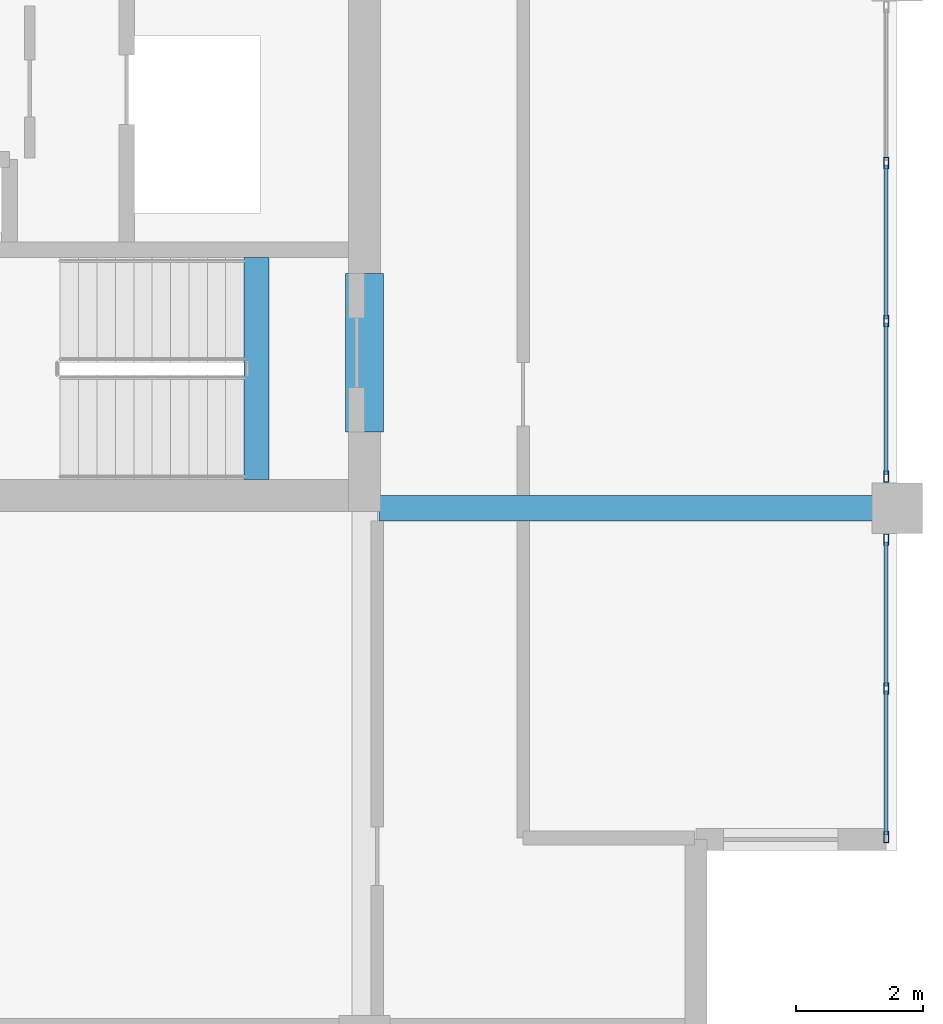
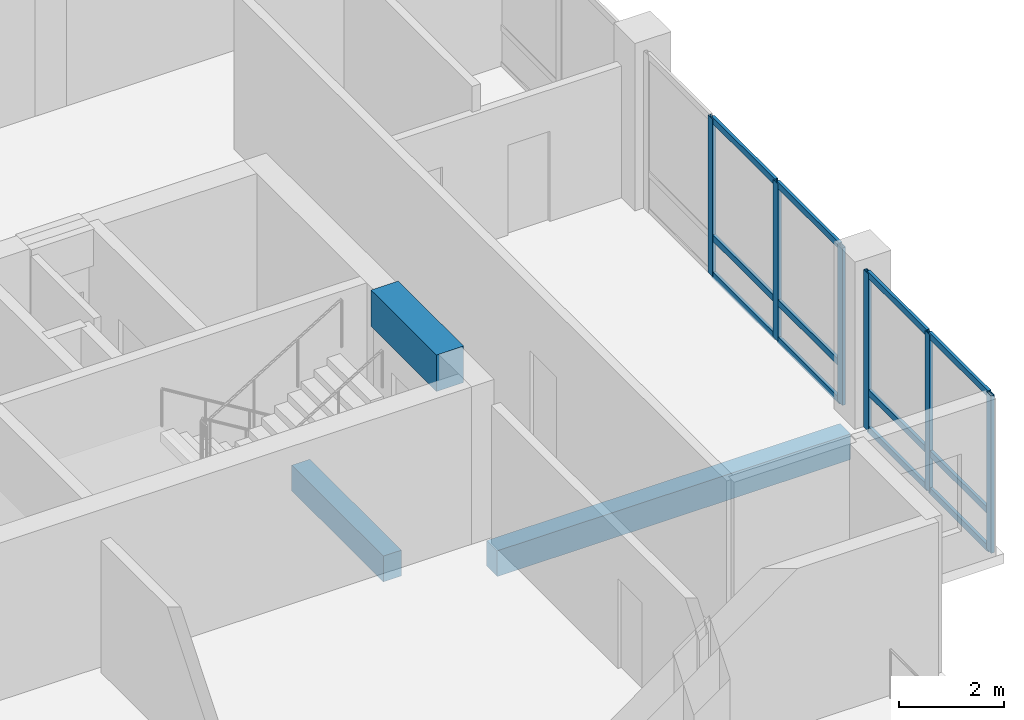
# One storey, part 2 of 14: 18 members, 3 beams, 2 elements without a shape of their own.
"""IFC4 building model written with IfcOpenShell, lengths in metres."""

from ifc_helpers import new_model, si_unit, direction, frame, origin, origin_2d, place, context, subcontext, project, spatial, rectangle, hollow_rectangle, extrude, material, layer, layer_set, material_profile, profile_set, type_object, element, aggregate, save


model = new_model("IFC4")

# Units and contexts
model_context = context("Model", 3, precision=1e-05, world=origin(), true_north=direction((0.0, 1.0)))
body_context = subcontext(model_context, "Body", "Model", "MODEL_VIEW")
ifc_project = project(units=[si_unit("LENGTHUNIT", "METRE"), si_unit("AREAUNIT", "SQUARE_METRE"), si_unit("VOLUMEUNIT", "CUBIC_METRE"), si_unit("PLANEANGLEUNIT", "RADIAN"), si_unit("MASSUNIT", "GRAM", prefix="KILO")], contexts=[model_context])

# Site, building, storey
site_placement = place(None, origin())
site = spatial("IfcSite", under=ifc_project, at=site_placement, CompositionType="ELEMENT")
building_placement = place(site_placement, origin())
building = spatial("IfcBuilding", under=site, at=building_placement, Name="Koriwani Terraces Tower", CompositionType="ELEMENT")
storey_placement = place(building_placement, frame((0.0, 0.0, 339.800048828125)))
storey = spatial("IfcBuildingStorey", under=building, at=storey_placement, Name="L84", CompositionType="ELEMENT", Elevation=339.800048828125)

# Beams
ifc_material_1 = material(Name="Concrete C50/60", Category="concrete")
ifc_material_profile_1 = material_profile(ifc_material_1, rectangle(XDim=0.60009765625, YDim=0.85009765625, at=origin_2d()), Name="Concrete C50/60", Category="LoadBearing")
ifc_profile_set_1 = profile_set([ifc_material_profile_1], Name="Concrete C50/60")
beam_type_1 = type_object("IfcBeamType", Name="BEAM_RC_COUPLING_600X850", PredefinedType="LINTEL", material=ifc_profile_set_1)
beam_1_placement = place(storey_placement, frame((58.800048828125, 18.0, 3.244873046875), z_axis=(0.0, 1.0, 0.0), x_axis=(-1.0, 0.0, 0.0)))
element("IfcBeam", 1, at=beam_1_placement, inside=storey, type_object=beam_type_1, Name="L84 Core Coupling Lintel Beam EE", PredefinedType="LINTEL", context=body_context, shape_type="SweptSolid", body=[
    extrude(rectangle(XDim=0.60009765625, YDim=0.85009765625, at=origin_2d()), origin(), (0.0, 0.0, 1.0), 2.5),
])
ifc_material_2 = material(Name="Concrete C40/50", Category="concrete")
ifc_material_profile_2 = material_profile(ifc_material_2, rectangle(XDim=0.39990234375, YDim=0.60009765625, at=origin_2d()), Name="Concrete C40/50", Category="LoadBearing")
ifc_profile_set_2 = profile_set([ifc_material_profile_2], Name="Concrete C40/50")
beam_type_2 = type_object("IfcBeamType", Name="BEAM_RC_GRID_400X600", PredefinedType="BEAM", material=ifc_profile_set_2)
beam_2_placement = place(storey_placement, frame((57.094970703125, 17.25, -0.300048828125), z_axis=(0.0, 1.0, 0.0), x_axis=(-1.0, 0.0, 0.0)))
element("IfcBeam", 2, at=beam_2_placement, inside=storey, type_object=beam_type_2, Name="L84 Stairwell Header Trimmer Beam ST-E2", PredefinedType="BEAM", context=body_context, shape_type="SweptSolid", body=[
    extrude(rectangle(XDim=0.39990234375, YDim=0.60009765625, at=origin_2d()), origin(), (0.0, 0.0, 1.0), 3.5),
])
beam_3_placement = place(storey_placement, frame((59.030029296875, 16.800048828125, -0.530029296875), z_axis=(1.0, 0.0, 0.0), x_axis=(0.0, 1.0, 0.0)))
element("IfcBeam", 3, at=beam_3_placement, inside=storey, type_object=beam_type_2, Name="L84 Grid Beam C (58.8-67.2m)", PredefinedType="BEAM", context=body_context, shape_type="SweptSolid", body=[
    extrude(rectangle(XDim=0.39990234375, YDim=0.60009765625, at=origin_2d()), origin(), (0.0, 0.0, 1.0), 7.7900390625),
])

# Curtain wall, members
ifc_material_3 = material(Name="Anodised Bronze Aluminium", Category="aluminium")
ifc_layer = layer(ifc_material_3, 0.18994140625, Name="Anodised Bronze Aluminium")
ifc_layer_set = layer_set([ifc_layer], Name="Anodised Bronze Aluminium")
curtain_wall_type = type_object("IfcCurtainWallType", Name="CW_PENTHOUSE_ZONE5", PredefinedType="NOTDEFINED", material=ifc_layer_set)
curtain_wall_1_placement = place(storey_placement, origin())
curtain_wall_1 = element("IfcCurtainWall", 4, at=curtain_wall_1_placement, inside=storey, type_object=curtain_wall_type, Name="L84 Unitised Curtain Wall (E_TIP) Bay 2", PredefinedType="NOTDEFINED")
ifc_material_profile_3 = material_profile(ifc_material_3, hollow_rectangle(XDim=0.074951171875, YDim=0.179931640625, WallThickness=0.006103515625, at=origin_2d()), Name="Anodised Bronze Aluminium", Category="LoadBearing")
ifc_profile_set_3 = profile_set([ifc_material_profile_3], Name="Anodised Bronze Aluminium")
member_type_1 = type_object("IfcMemberType", Name="CW_MULLION_180X75", PredefinedType="MULLION", material=ifc_profile_set_3)
member_1_placement = place(storey_placement, frame((67.02490234375, 22.24658203125, 0.0), z_axis=(0.0, 0.0, 1.0), x_axis=(1.0, 0.0, 0.0)))
member_1 = element("IfcMember", 5, at=member_1_placement, type_object=member_type_1, Name="CW-Z5 mullion 2", PredefinedType="MULLION", context=body_context, shape_type="SweptSolid", body=[
    extrude(hollow_rectangle(XDim=0.074951171875, YDim=0.179931640625, WallThickness=0.006103515625, at=origin_2d()), origin(), (0.0, 0.0, 1.0), 3.669921875),
])
member_2_placement = place(storey_placement, frame((67.02490234375, 19.75341796875, 0.0), z_axis=(0.0, 0.0, 1.0), x_axis=(1.0, 0.0, 0.0)))
member_2 = element("IfcMember", 6, at=member_2_placement, type_object=member_type_1, Name="CW-Z5 mullion 3", PredefinedType="MULLION", context=body_context, shape_type="SweptSolid", body=[
    extrude(hollow_rectangle(XDim=0.074951171875, YDim=0.179931640625, WallThickness=0.006103515625, at=origin_2d()), origin(), (0.0, 0.0, 1.0), 3.669921875),
])
member_3_placement = place(storey_placement, frame((67.02490234375, 17.297607421875, 0.0), z_axis=(0.0, 0.0, 1.0), x_axis=(1.0, 0.0, 0.0)))
member_3 = element("IfcMember", 7, at=member_3_placement, type_object=member_type_1, Name="CW-Z5 mullion 4", PredefinedType="MULLION", context=body_context, shape_type="SweptSolid", body=[
    extrude(hollow_rectangle(XDim=0.074951171875, YDim=0.179931640625, WallThickness=0.006103515625, at=origin_2d()), origin(), (0.0, 0.0, 1.0), 3.669921875),
])

curtain_wall_2_placement = place(storey_placement, origin())
curtain_wall_2 = element("IfcCurtainWall", 8, at=curtain_wall_2_placement, inside=storey, type_object=curtain_wall_type, Name="L84 Unitised Curtain Wall (E_TIP) Bay 3", PredefinedType="NOTDEFINED")
member_4_placement = place(storey_placement, frame((67.02490234375, 16.302490234375, 0.0), z_axis=(0.0, 0.0, 1.0), x_axis=(1.0, 0.0, 0.0)))
member_4 = element("IfcMember", 9, at=member_4_placement, type_object=member_type_1, Name="CW-Z5 mullion 1", PredefinedType="MULLION", context=body_context, shape_type="SweptSolid", body=[
    extrude(hollow_rectangle(XDim=0.074951171875, YDim=0.179931640625, WallThickness=0.006103515625, at=origin_2d()), origin(), (0.0, 0.0, 1.0), 3.669921875),
])
member_5_placement = place(storey_placement, frame((67.02490234375, 13.95751953125, 0.0), z_axis=(0.0, 0.0, 1.0), x_axis=(1.0, 0.0, 0.0)))
member_5 = element("IfcMember", 10, at=member_5_placement, type_object=member_type_1, Name="CW-Z5 mullion 2", PredefinedType="MULLION", context=body_context, shape_type="SweptSolid", body=[
    extrude(hollow_rectangle(XDim=0.074951171875, YDim=0.179931640625, WallThickness=0.006103515625, at=origin_2d()), origin(), (0.0, 0.0, 1.0), 3.669921875),
])
member_6_placement = place(storey_placement, frame((67.02490234375, 11.612548828125, 0.0), z_axis=(0.0, 0.0, 1.0), x_axis=(1.0, 0.0, 0.0)))
member_6 = element("IfcMember", 11, at=member_6_placement, type_object=member_type_1, Name="CW-Z5 mullion 3", PredefinedType="MULLION", context=body_context, shape_type="SweptSolid", body=[
    extrude(hollow_rectangle(XDim=0.074951171875, YDim=0.179931640625, WallThickness=0.006103515625, at=origin_2d()), origin(), (0.0, 0.0, 1.0), 3.669921875),
])

# Member
ifc_material_profile_4 = material_profile(ifc_material_3, hollow_rectangle(XDim=0.06494140625, YDim=0.14990234375, WallThickness=0.0048828125, at=origin_2d()), Name="Anodised Bronze Aluminium", Category="LoadBearing")
ifc_profile_set_4 = profile_set([ifc_material_profile_4], Name="Anodised Bronze Aluminium")
member_type_2 = type_object("IfcMemberType", Name="CW_TRANSOM_150X65", PredefinedType="USERDEFINED", material=ifc_profile_set_4)
member_7_placement = place(storey_placement, frame((67.02490234375, 22.209228515625, 0.032470703125), z_axis=(0.0, -1.0, 0.0), x_axis=(1.0, 0.0, 0.0)))
member_7 = element("IfcMember", 12, at=member_7_placement, type_object=member_type_2, Name="CW-Z5 transom 2.1", ObjectType="TRANSOM", PredefinedType="USERDEFINED", context=body_context, shape_type="SweptSolid", body=[
    extrude(hollow_rectangle(XDim=0.06494140625, YDim=0.14990234375, WallThickness=0.0048828125, at=origin_2d()), origin(), (0.0, 0.0, 1.0), 2.41845703125),
])

member_8_placement = place(storey_placement, frame((67.02490234375, 22.209228515625, 0.89990234375), z_axis=(0.0, -1.0, 0.0), x_axis=(1.0, 0.0, 0.0)))
member_8 = element("IfcMember", 13, at=member_8_placement, type_object=member_type_2, Name="CW-Z5 transom 2.2", ObjectType="TRANSOM", PredefinedType="USERDEFINED", context=body_context, shape_type="SweptSolid", body=[
    extrude(hollow_rectangle(XDim=0.06494140625, YDim=0.14990234375, WallThickness=0.0048828125, at=origin_2d()), origin(), (0.0, 0.0, 1.0), 2.41845703125),
])

member_9_placement = place(storey_placement, frame((67.02490234375, 22.209228515625, 3.637451171875), z_axis=(0.0, -1.0, 0.0), x_axis=(1.0, 0.0, 0.0)))
member_9 = element("IfcMember", 14, at=member_9_placement, type_object=member_type_2, Name="CW-Z5 transom 2.3", ObjectType="TRANSOM", PredefinedType="USERDEFINED", context=body_context, shape_type="SweptSolid", body=[
    extrude(hollow_rectangle(XDim=0.06494140625, YDim=0.14990234375, WallThickness=0.0048828125, at=origin_2d()), origin(), (0.0, 0.0, 1.0), 2.41845703125),
])

member_10_placement = place(storey_placement, frame((67.02490234375, 19.7158203125, 0.032470703125), z_axis=(0.0, -1.0, 0.0), x_axis=(1.0, 0.0, 0.0)))
member_10 = element("IfcMember", 15, at=member_10_placement, type_object=member_type_2, Name="CW-Z5 transom 3.1", ObjectType="TRANSOM", PredefinedType="USERDEFINED", context=body_context, shape_type="SweptSolid", body=[
    extrude(hollow_rectangle(XDim=0.06494140625, YDim=0.14990234375, WallThickness=0.0048828125, at=origin_2d()), origin(), (0.0, 0.0, 1.0), 2.380859375),
])

member_11_placement = place(storey_placement, frame((67.02490234375, 19.7158203125, 0.89990234375), z_axis=(0.0, -1.0, 0.0), x_axis=(1.0, 0.0, 0.0)))
member_11 = element("IfcMember", 16, at=member_11_placement, type_object=member_type_2, Name="CW-Z5 transom 3.2", ObjectType="TRANSOM", PredefinedType="USERDEFINED", context=body_context, shape_type="SweptSolid", body=[
    extrude(hollow_rectangle(XDim=0.06494140625, YDim=0.14990234375, WallThickness=0.0048828125, at=origin_2d()), origin(), (0.0, 0.0, 1.0), 2.380859375),
])

member_12_placement = place(storey_placement, frame((67.02490234375, 19.7158203125, 3.637451171875), z_axis=(0.0, -1.0, 0.0), x_axis=(1.0, 0.0, 0.0)))
member_12 = element("IfcMember", 17, at=member_12_placement, type_object=member_type_2, Name="CW-Z5 transom 3.3", ObjectType="TRANSOM", PredefinedType="USERDEFINED", context=body_context, shape_type="SweptSolid", body=[
    extrude(hollow_rectangle(XDim=0.06494140625, YDim=0.14990234375, WallThickness=0.0048828125, at=origin_2d()), origin(), (0.0, 0.0, 1.0), 2.380859375),
])

aggregate(curtain_wall_1, [member_1, member_2, member_3, member_7, member_8, member_9, member_10, member_11, member_12])

member_13_placement = place(storey_placement, frame((67.02490234375, 16.264892578125, 0.032470703125), z_axis=(0.0, -1.0, 0.0), x_axis=(1.0, 0.0, 0.0)))
member_13 = element("IfcMember", 18, at=member_13_placement, type_object=member_type_2, Name="CW-Z5 transom 1.1", ObjectType="TRANSOM", PredefinedType="USERDEFINED", context=body_context, shape_type="SweptSolid", body=[
    extrude(hollow_rectangle(XDim=0.06494140625, YDim=0.14990234375, WallThickness=0.0048828125, at=origin_2d()), origin(), (0.0, 0.0, 1.0), 2.269775390625),
])

member_14_placement = place(storey_placement, frame((67.02490234375, 16.264892578125, 0.89990234375), z_axis=(0.0, -1.0, 0.0), x_axis=(1.0, 0.0, 0.0)))
member_14 = element("IfcMember", 19, at=member_14_placement, type_object=member_type_2, Name="CW-Z5 transom 1.2", ObjectType="TRANSOM", PredefinedType="USERDEFINED", context=body_context, shape_type="SweptSolid", body=[
    extrude(hollow_rectangle(XDim=0.06494140625, YDim=0.14990234375, WallThickness=0.0048828125, at=origin_2d()), origin(), (0.0, 0.0, 1.0), 2.269775390625),
])

member_15_placement = place(storey_placement, frame((67.02490234375, 16.264892578125, 3.637451171875), z_axis=(0.0, -1.0, 0.0), x_axis=(1.0, 0.0, 0.0)))
member_15 = element("IfcMember", 20, at=member_15_placement, type_object=member_type_2, Name="CW-Z5 transom 1.3", ObjectType="TRANSOM", PredefinedType="USERDEFINED", context=body_context, shape_type="SweptSolid", body=[
    extrude(hollow_rectangle(XDim=0.06494140625, YDim=0.14990234375, WallThickness=0.0048828125, at=origin_2d()), origin(), (0.0, 0.0, 1.0), 2.269775390625),
])

member_16_placement = place(storey_placement, frame((67.02490234375, 13.919921875, 0.032470703125), z_axis=(0.0, -1.0, 0.0), x_axis=(1.0, 0.0, 0.0)))
member_16 = element("IfcMember", 21, at=member_16_placement, type_object=member_type_2, Name="CW-Z5 transom 2.1", ObjectType="TRANSOM", PredefinedType="USERDEFINED", context=body_context, shape_type="SweptSolid", body=[
    extrude(hollow_rectangle(XDim=0.06494140625, YDim=0.14990234375, WallThickness=0.0048828125, at=origin_2d()), origin(), (0.0, 0.0, 1.0), 2.27001953125),
])

member_17_placement = place(storey_placement, frame((67.02490234375, 13.919921875, 0.89990234375), z_axis=(0.0, -1.0, 0.0), x_axis=(1.0, 0.0, 0.0)))
member_17 = element("IfcMember", 22, at=member_17_placement, type_object=member_type_2, Name="CW-Z5 transom 2.2", ObjectType="TRANSOM", PredefinedType="USERDEFINED", context=body_context, shape_type="SweptSolid", body=[
    extrude(hollow_rectangle(XDim=0.06494140625, YDim=0.14990234375, WallThickness=0.0048828125, at=origin_2d()), origin(), (0.0, 0.0, 1.0), 2.27001953125),
])

member_18_placement = place(storey_placement, frame((67.02490234375, 13.919921875, 3.637451171875), z_axis=(0.0, -1.0, 0.0), x_axis=(1.0, 0.0, 0.0)))
member_18 = element("IfcMember", 23, at=member_18_placement, type_object=member_type_2, Name="CW-Z5 transom 2.3", ObjectType="TRANSOM", PredefinedType="USERDEFINED", context=body_context, shape_type="SweptSolid", body=[
    extrude(hollow_rectangle(XDim=0.06494140625, YDim=0.14990234375, WallThickness=0.0048828125, at=origin_2d()), origin(), (0.0, 0.0, 1.0), 2.27001953125),
])

aggregate(curtain_wall_2, [member_4, member_5, member_6, member_13, member_14, member_15, member_16, member_17, member_18])

save(model, "model.ifc")
